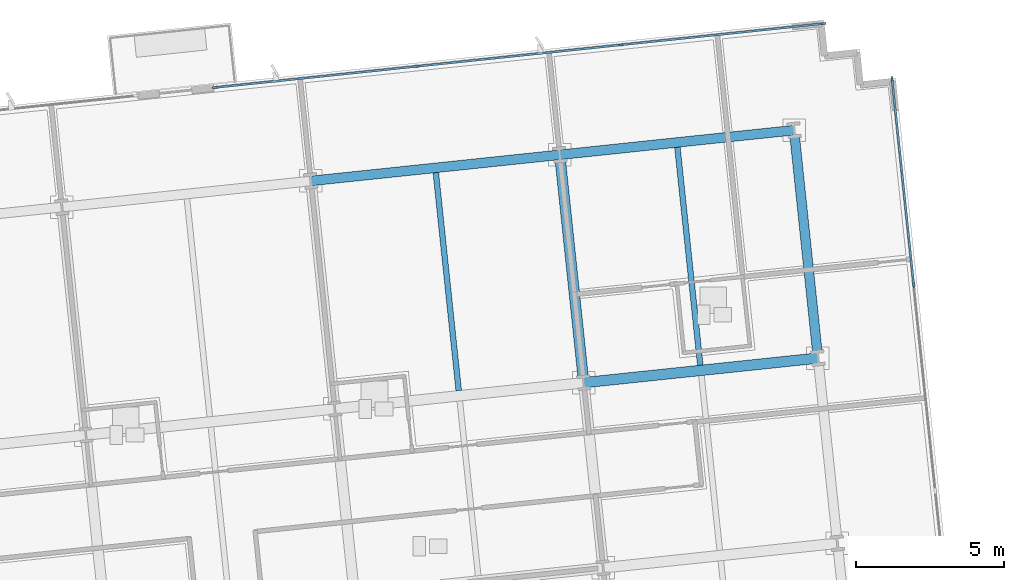
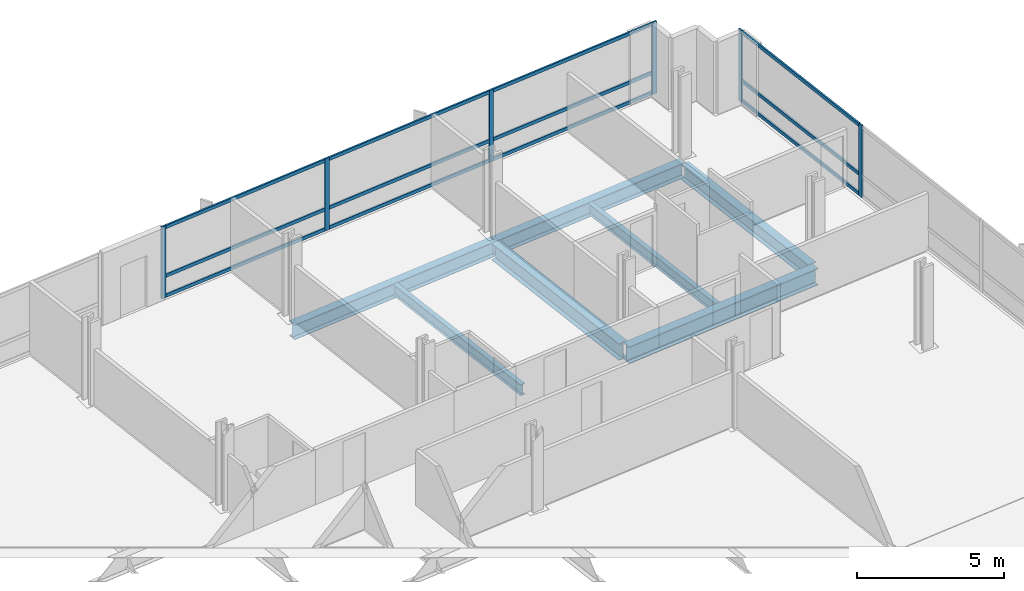
# One storey, part 8 of 18: 18 members, 7 beams, 2 elements without a shape of their own.
"""IFC4 building model written with IfcOpenShell, lengths in metres."""

from ifc_helpers import new_model, si_unit, direction, frame, origin, origin_2d, place, context, subcontext, project, spatial, rectangle, i_section, extrude, material, material_profile, profile_set, type_object, element, aggregate, save


model = new_model("IFC4")

# Units and contexts
model_context = context("Model", 3, precision=1e-05, world=origin(), true_north=direction((0.0, 1.0)))
body_context = subcontext(model_context, "Body", "Model", "MODEL_VIEW")
ifc_project = project(units=[si_unit("LENGTHUNIT", "METRE"), si_unit("AREAUNIT", "SQUARE_METRE"), si_unit("VOLUMEUNIT", "CUBIC_METRE"), si_unit("PLANEANGLEUNIT", "RADIAN"), si_unit("MASSUNIT", "GRAM", prefix="KILO")], contexts=[model_context])

# Site, building, storey
site_placement = place(None, origin())
site = spatial("IfcSite", under=ifc_project, at=site_placement, CompositionType="ELEMENT")
building_placement = place(site_placement, origin())
building = spatial("IfcBuilding", under=site, at=building_placement, Name="Solmavex Isthmus Hotel", CompositionType="ELEMENT")
storey_placement = place(building_placement, frame((0.0, 0.0, 127.050048828125)))
storey = spatial("IfcBuildingStorey", under=building, at=storey_placement, Name="L34", CompositionType="ELEMENT", Elevation=127.050048828125)

# Beams
ifc_material_1 = material(Name="Steel ASTM A992 Grade 50", Category="steel")
ifc_material_profile_1 = material_profile(ifc_material_1, i_section(OverallWidth=0.354736328125, OverallDepth=0.695556640625, WebThickness=0.015380859375, FlangeThickness=0.02490234375, FilletRadius=0.017822265625, at=origin_2d()), Name="W27X146")
ifc_profile_set_1 = profile_set([ifc_material_profile_1], Name="Steel ASTM A992 Grade 50")
beam_type_1 = type_object("IfcBeamType", Name="BM-BG-W27X146", PredefinedType="BEAM", material=ifc_profile_set_1)
beam_1_placement = place(storey_placement, frame((20.5615234375, 11.921875, -0.60791015625), z_axis=(0.994523402738, 0.104514120609, 0.0), x_axis=(-0.104514120609, 0.994523402738, 0.0)))
element("IfcBeam", 1, at=beam_1_placement, inside=storey, type_object=beam_type_1, Name="Floor Girder L34-UG18", PredefinedType="BEAM", context=body_context, shape_type="SweptSolid", body=[
    extrude(i_section(OverallWidth=0.354736328125, OverallDepth=0.695556640625, WebThickness=0.015380859375, FlangeThickness=0.02490234375, FilletRadius=0.017822265625, at=origin_2d()), origin(), (0.0, 0.0, 1.0), 7.968017578125),
])
beam_2_placement = place(storey_placement, frame((20.54296875, 12.098388671875, -0.60791015625), z_axis=(-0.1045578893, 0.994518802128, 0.0), x_axis=(-0.994518802128, -0.1045578893, 0.0)))
element("IfcBeam", 2, at=beam_2_placement, inside=storey, type_object=beam_type_1, Name="Floor Beam L34-VG45", PredefinedType="BEAM", context=body_context, shape_type="SweptSolid", body=[
    extrude(i_section(OverallWidth=0.354736328125, OverallDepth=0.695556640625, WebThickness=0.015380859375, FlangeThickness=0.02490234375, FilletRadius=0.017822265625, at=origin_2d()), origin(), (0.0, 0.0, 1.0), 7.4111328125),
])
ifc_material_profile_2 = material_profile(ifc_material_1, i_section(OverallWidth=0.1904296875, OverallDepth=0.456787109375, WebThickness=0.009033203125, FlangeThickness=0.014404296875, FilletRadius=0.0126953125, at=origin_2d()), Name="W18X50")
ifc_profile_set_2 = profile_set([ifc_material_profile_2], Name="Steel ASTM A992 Grade 50")
beam_type_2 = type_object("IfcBeamType", Name="BM-BJ-W18X50", PredefinedType="JOIST", material=ifc_profile_set_2)
for number, where, z_axis, x_axis, name in (
    (3, (16.3330078125, 11.65576171875, -0.488525390625), (-0.10452188296, 0.994522586964, 0.0), (-0.994522586964, -0.10452188296, 0.0), "Secondary Floor Joist L34-J18"),
    (4, (24.505126953125, 12.5146484375, -0.488525390625), (-0.10452188296, 0.994522586964, 0.0), (-0.994522586964, -0.10452188296, 0.0), "Secondary Floor Joist L34-J21"),
):
    element("IfcBeam", number, at=place(storey_placement, frame(where, z_axis=z_axis, x_axis=x_axis)), inside=storey, type_object=beam_type_2, Name=name, PredefinedType="JOIST", context=body_context, shape_type="SweptSolid", body=[
        extrude(i_section(OverallWidth=0.1904296875, OverallDepth=0.456787109375, WebThickness=0.009033203125, FlangeThickness=0.014404296875, FilletRadius=0.0126953125, at=origin_2d()), origin(), (0.0, 0.0, 1.0), 7.411376953125),
    ])
ifc_material_profile_3 = material_profile(ifc_material_1, i_section(OverallWidth=0.326416015625, OverallDepth=0.621826171875, WebThickness=0.015380859375, FlangeThickness=0.0244140625, FilletRadius=0.01513671875, at=origin_2d()), Name="W24X131")
ifc_profile_set_3 = profile_set([ifc_material_profile_3], Name="Steel ASTM A992 Grade 50")
beam_type_3 = type_object("IfcBeamType", Name="BM-SP-W24X131", PredefinedType="SPANDREL", material=ifc_profile_set_3)
beam_3_placement = place(storey_placement, frame((11.33154296875, 18.74658203125, -0.571044921875), z_axis=(0.994524082861, 0.104507648572, 0.0), x_axis=(-0.104507648572, 0.994524082861, 0.0)))
element("IfcBeam", 5, at=beam_3_placement, inside=storey, type_object=beam_type_3, Name="Floor Girder L34-UG23", PredefinedType="SPANDREL", context=body_context, shape_type="SweptSolid", body=[
    extrude(i_section(OverallWidth=0.326416015625, OverallDepth=0.621826171875, WebThickness=0.015380859375, FlangeThickness=0.0244140625, FilletRadius=0.01513671875, at=origin_2d()), origin(), (0.0, 0.0, 1.0), 8.466064453125),
])
beam_4_placement = place(storey_placement, frame((19.751220703125, 19.63134765625, -0.571044921875), z_axis=(0.994520217478, 0.10454442609, 0.0), x_axis=(-0.10454442609, 0.994520217478, 0.0)))
element("IfcBeam", 6, at=beam_4_placement, inside=storey, type_object=beam_type_3, Name="Floor Girder L34-UG24", PredefinedType="SPANDREL", context=body_context, shape_type="SweptSolid", body=[
    extrude(i_section(OverallWidth=0.326416015625, OverallDepth=0.621826171875, WebThickness=0.015380859375, FlangeThickness=0.0244140625, FilletRadius=0.01513671875, at=origin_2d()), origin(), (0.0, 0.0, 1.0), 7.968017578125),
])
beam_5_placement = place(storey_placement, frame((28.46728515625, 12.93115234375, -0.571044921875), z_axis=(-0.10452188296, 0.994522586964, 0.0), x_axis=(-0.994522586964, -0.10452188296, 0.0)))
element("IfcBeam", 7, at=beam_5_placement, inside=storey, type_object=beam_type_3, Name="Floor Beam L34-VG48", PredefinedType="SPANDREL", context=body_context, shape_type="SweptSolid", body=[
    extrude(i_section(OverallWidth=0.326416015625, OverallDepth=0.621826171875, WebThickness=0.015380859375, FlangeThickness=0.0244140625, FilletRadius=0.01513671875, at=origin_2d()), origin(), (0.0, 0.0, 1.0), 7.411376953125),
])

# Curtain wall, members
ifc_material_2 = material(Name="Aluminium alloy 6063-T6", Category="aluminium")
curtain_wall_type = type_object("IfcCurtainWallType", Name="CW-SYS-03", PredefinedType="NOTDEFINED", material=ifc_material_2)
curtain_wall_1_placement = place(storey_placement, origin())
curtain_wall_1 = element("IfcCurtainWall", 8, at=curtain_wall_1_placement, inside=storey, type_object=curtain_wall_type, Name="Stick Curtain Wall CWL-L34-N3", PredefinedType="NOTDEFINED")
ifc_material_profile_4 = material_profile(ifc_material_2, rectangle(XDim=0.070068359375, YDim=0.179931640625, at=origin_2d()), Name="CWM-70X180")
ifc_profile_set_4 = profile_set([ifc_material_profile_4], Name="Aluminium alloy 6063-T6")
member_type_1 = type_object("IfcMemberType", Name="CW-SYS-03-MUL", PredefinedType="MULLION", material=ifc_profile_set_4)
member_1_placement = place(storey_placement, frame((8.085693359375, 21.904541015625, 0.0), z_axis=(0.0, 0.0, 1.0), x_axis=(-0.10452837063, 0.994521905105, 0.0)))
member_1 = element("IfcMember", 9, at=member_1_placement, type_object=member_type_1, Name="CW-03 mullion 1", PredefinedType="MULLION", context=body_context, shape_type="SweptSolid", body=[
    extrude(rectangle(XDim=0.070068359375, YDim=0.179931640625, at=origin_2d()), origin(), (0.0, 0.0, 1.0), 3.0),
])
member_2_placement = place(storey_placement, frame((14.935302734375, 22.62451171875, 0.0), z_axis=(0.0, 0.0, 1.0), x_axis=(-0.10452837063, 0.994521905105, 0.0)))
member_2 = element("IfcMember", 10, at=member_2_placement, type_object=member_type_1, Name="CW-03 mullion 2", PredefinedType="MULLION", context=body_context, shape_type="SweptSolid", body=[
    extrude(rectangle(XDim=0.070068359375, YDim=0.179931640625, at=origin_2d()), origin(), (0.0, 0.0, 1.0), 3.0),
])
member_3_placement = place(storey_placement, frame((21.819580078125, 23.347900390625, 0.0), z_axis=(0.0, 0.0, 1.0), x_axis=(-0.10452837063, 0.994521905105, 0.0)))
member_3 = element("IfcMember", 11, at=member_3_placement, type_object=member_type_1, Name="CW-03 mullion 3", PredefinedType="MULLION", context=body_context, shape_type="SweptSolid", body=[
    extrude(rectangle(XDim=0.070068359375, YDim=0.179931640625, at=origin_2d()), origin(), (0.0, 0.0, 1.0), 3.0),
])
member_4_placement = place(storey_placement, frame((28.669189453125, 24.06787109375, 0.0), z_axis=(0.0, 0.0, 1.0), x_axis=(-0.10452837063, 0.994521905105, 0.0)))
member_4 = element("IfcMember", 12, at=member_4_placement, type_object=member_type_1, Name="CW-03 mullion 4", PredefinedType="MULLION", context=body_context, shape_type="SweptSolid", body=[
    extrude(rectangle(XDim=0.070068359375, YDim=0.179931640625, at=origin_2d()), origin(), (0.0, 0.0, 1.0), 3.0),
])

curtain_wall_2_placement = place(storey_placement, origin())
curtain_wall_2 = element("IfcCurtainWall", 13, at=curtain_wall_2_placement, inside=storey, type_object=curtain_wall_type, Name="Stick Curtain Wall CWL-L34-E1", PredefinedType="NOTDEFINED")
member_5_placement = place(storey_placement, frame((31.723876953125, 15.23876953125, 0.0), z_axis=(0.0, 0.0, 1.0), x_axis=(-0.994521893044, -0.104528485381, 0.0)))
member_5 = element("IfcMember", 14, at=member_5_placement, type_object=member_type_1, Name="CW-03 mullion 5", PredefinedType="MULLION", context=body_context, shape_type="SweptSolid", body=[
    extrude(rectangle(XDim=0.070068359375, YDim=0.179931640625, at=origin_2d()), origin(), (0.0, 0.0, 1.0), 3.0),
])
member_6_placement = place(storey_placement, frame((30.99365234375, 22.185546875, 0.0), z_axis=(0.0, 0.0, 1.0), x_axis=(-0.994521893044, -0.104528485381, 0.0)))
member_6 = element("IfcMember", 15, at=member_6_placement, type_object=member_type_1, Name="CW-03 mullion 6", PredefinedType="MULLION", context=body_context, shape_type="SweptSolid", body=[
    extrude(rectangle(XDim=0.070068359375, YDim=0.179931640625, at=origin_2d()), origin(), (0.0, 0.0, 1.0), 3.0),
])

# Member
ifc_material_profile_5 = material_profile(ifc_material_2, rectangle(XDim=0.070068359375, YDim=0.139892578125, at=origin_2d()), Name="CWT-70X140")
ifc_profile_set_5 = profile_set([ifc_material_profile_5], Name="Aluminium alloy 6063-T6")
member_type_2 = type_object("IfcMemberType", Name="CW-SYS-03-TRN", PredefinedType="USERDEFINED", material=ifc_profile_set_5)
member_7_placement = place(storey_placement, frame((8.120361328125, 21.908203125, 0.070068359375), z_axis=(0.99452133588, 0.104533786303, 0.0), x_axis=(-0.104533786303, 0.99452133588, 0.0)))
member_7 = element("IfcMember", 16, at=member_7_placement, type_object=member_type_2, Name="CW-03 transom 1.1", ObjectType="TRANSOM", PredefinedType="USERDEFINED", context=body_context, shape_type="SweptSolid", body=[
    extrude(rectangle(XDim=0.070068359375, YDim=0.139892578125, at=origin_2d()), origin(), (0.0, 0.0, 1.0), 6.8173828125),
])

member_8_placement = place(storey_placement, frame((8.120361328125, 21.908203125, 0.89990234375), z_axis=(0.99452133588, 0.104533786303, 0.0), x_axis=(-0.104533786303, 0.99452133588, 0.0)))
member_8 = element("IfcMember", 17, at=member_8_placement, type_object=member_type_2, Name="CW-03 transom 1.2", ObjectType="TRANSOM", PredefinedType="USERDEFINED", context=body_context, shape_type="SweptSolid", body=[
    extrude(rectangle(XDim=0.070068359375, YDim=0.139892578125, at=origin_2d()), origin(), (0.0, 0.0, 1.0), 6.8173828125),
])

member_9_placement = place(storey_placement, frame((8.120361328125, 21.908203125, 2.929931640625), z_axis=(0.99452133588, 0.104533786303, 0.0), x_axis=(-0.104533786303, 0.99452133588, 0.0)))
member_9 = element("IfcMember", 18, at=member_9_placement, type_object=member_type_2, Name="CW-03 transom 1.3", ObjectType="TRANSOM", PredefinedType="USERDEFINED", context=body_context, shape_type="SweptSolid", body=[
    extrude(rectangle(XDim=0.070068359375, YDim=0.139892578125, at=origin_2d()), origin(), (0.0, 0.0, 1.0), 6.8173828125),
])

member_10_placement = place(storey_placement, frame((14.969970703125, 22.628173828125, 0.070068359375), z_axis=(0.994525152797, 0.104497466259, 0.0), x_axis=(-0.104497466259, 0.994525152797, 0.0)))
member_10 = element("IfcMember", 19, at=member_10_placement, type_object=member_type_2, Name="CW-03 transom 2.1", ObjectType="TRANSOM", PredefinedType="USERDEFINED", context=body_context, shape_type="SweptSolid", body=[
    extrude(rectangle(XDim=0.070068359375, YDim=0.139892578125, at=origin_2d()), origin(), (0.0, 0.0, 1.0), 6.8525390625),
])

member_11_placement = place(storey_placement, frame((14.969970703125, 22.628173828125, 0.89990234375), z_axis=(0.994525152797, 0.104497466259, 0.0), x_axis=(-0.104497466259, 0.994525152797, 0.0)))
member_11 = element("IfcMember", 20, at=member_11_placement, type_object=member_type_2, Name="CW-03 transom 2.2", ObjectType="TRANSOM", PredefinedType="USERDEFINED", context=body_context, shape_type="SweptSolid", body=[
    extrude(rectangle(XDim=0.070068359375, YDim=0.139892578125, at=origin_2d()), origin(), (0.0, 0.0, 1.0), 6.8525390625),
])

member_12_placement = place(storey_placement, frame((14.969970703125, 22.628173828125, 2.929931640625), z_axis=(0.994525152797, 0.104497466259, 0.0), x_axis=(-0.104497466259, 0.994525152797, 0.0)))
member_12 = element("IfcMember", 21, at=member_12_placement, type_object=member_type_2, Name="CW-03 transom 2.3", ObjectType="TRANSOM", PredefinedType="USERDEFINED", context=body_context, shape_type="SweptSolid", body=[
    extrude(rectangle(XDim=0.070068359375, YDim=0.139892578125, at=origin_2d()), origin(), (0.0, 0.0, 1.0), 6.8525390625),
])

member_13_placement = place(storey_placement, frame((21.8544921875, 23.3515625, 0.070068359375), z_axis=(0.99452133588, 0.104533786303, 0.0), x_axis=(-0.104533786303, 0.99452133588, 0.0)))
member_13 = element("IfcMember", 22, at=member_13_placement, type_object=member_type_2, Name="CW-03 transom 3.1", ObjectType="TRANSOM", PredefinedType="USERDEFINED", context=body_context, shape_type="SweptSolid", body=[
    extrude(rectangle(XDim=0.070068359375, YDim=0.139892578125, at=origin_2d()), origin(), (0.0, 0.0, 1.0), 6.8173828125),
])

member_14_placement = place(storey_placement, frame((21.8544921875, 23.3515625, 0.89990234375), z_axis=(0.99452133588, 0.104533786303, 0.0), x_axis=(-0.104533786303, 0.99452133588, 0.0)))
member_14 = element("IfcMember", 23, at=member_14_placement, type_object=member_type_2, Name="CW-03 transom 3.2", ObjectType="TRANSOM", PredefinedType="USERDEFINED", context=body_context, shape_type="SweptSolid", body=[
    extrude(rectangle(XDim=0.070068359375, YDim=0.139892578125, at=origin_2d()), origin(), (0.0, 0.0, 1.0), 6.8173828125),
])

member_15_placement = place(storey_placement, frame((21.8544921875, 23.3515625, 2.929931640625), z_axis=(0.99452133588, 0.104533786303, 0.0), x_axis=(-0.104533786303, 0.99452133588, 0.0)))
member_15 = element("IfcMember", 24, at=member_15_placement, type_object=member_type_2, Name="CW-03 transom 3.3", ObjectType="TRANSOM", PredefinedType="USERDEFINED", context=body_context, shape_type="SweptSolid", body=[
    extrude(rectangle(XDim=0.070068359375, YDim=0.139892578125, at=origin_2d()), origin(), (0.0, 0.0, 1.0), 6.8173828125),
])

aggregate(curtain_wall_1, [member_1, member_2, member_3, member_4, member_7, member_8, member_9, member_10, member_11, member_12, member_13, member_14, member_15])

member_16_placement = place(storey_placement, frame((31.72021484375, 15.273681640625, 0.070068359375), z_axis=(-0.104539595565, 0.994520725254, 0.0), x_axis=(-0.994520725254, -0.104539595565, 0.0)))
member_16 = element("IfcMember", 25, at=member_16_placement, type_object=member_type_2, Name="CW-03 transom 5.1", ObjectType="TRANSOM", PredefinedType="USERDEFINED", context=body_context, shape_type="SweptSolid", body=[
    extrude(rectangle(XDim=0.070068359375, YDim=0.139892578125, at=origin_2d()), origin(), (0.0, 0.0, 1.0), 6.9150390625),
])

member_17_placement = place(storey_placement, frame((31.72021484375, 15.273681640625, 0.89990234375), z_axis=(-0.104539595565, 0.994520725254, 0.0), x_axis=(-0.994520725254, -0.104539595565, 0.0)))
member_17 = element("IfcMember", 26, at=member_17_placement, type_object=member_type_2, Name="CW-03 transom 5.2", ObjectType="TRANSOM", PredefinedType="USERDEFINED", context=body_context, shape_type="SweptSolid", body=[
    extrude(rectangle(XDim=0.070068359375, YDim=0.139892578125, at=origin_2d()), origin(), (0.0, 0.0, 1.0), 6.9150390625),
])

member_18_placement = place(storey_placement, frame((31.72021484375, 15.273681640625, 2.929931640625), z_axis=(-0.104539595565, 0.994520725254, 0.0), x_axis=(-0.994520725254, -0.104539595565, 0.0)))
member_18 = element("IfcMember", 27, at=member_18_placement, type_object=member_type_2, Name="CW-03 transom 5.3", ObjectType="TRANSOM", PredefinedType="USERDEFINED", context=body_context, shape_type="SweptSolid", body=[
    extrude(rectangle(XDim=0.070068359375, YDim=0.139892578125, at=origin_2d()), origin(), (0.0, 0.0, 1.0), 6.9150390625),
])

aggregate(curtain_wall_2, [member_5, member_6, member_16, member_17, member_18])

save(model, "model.ifc")
